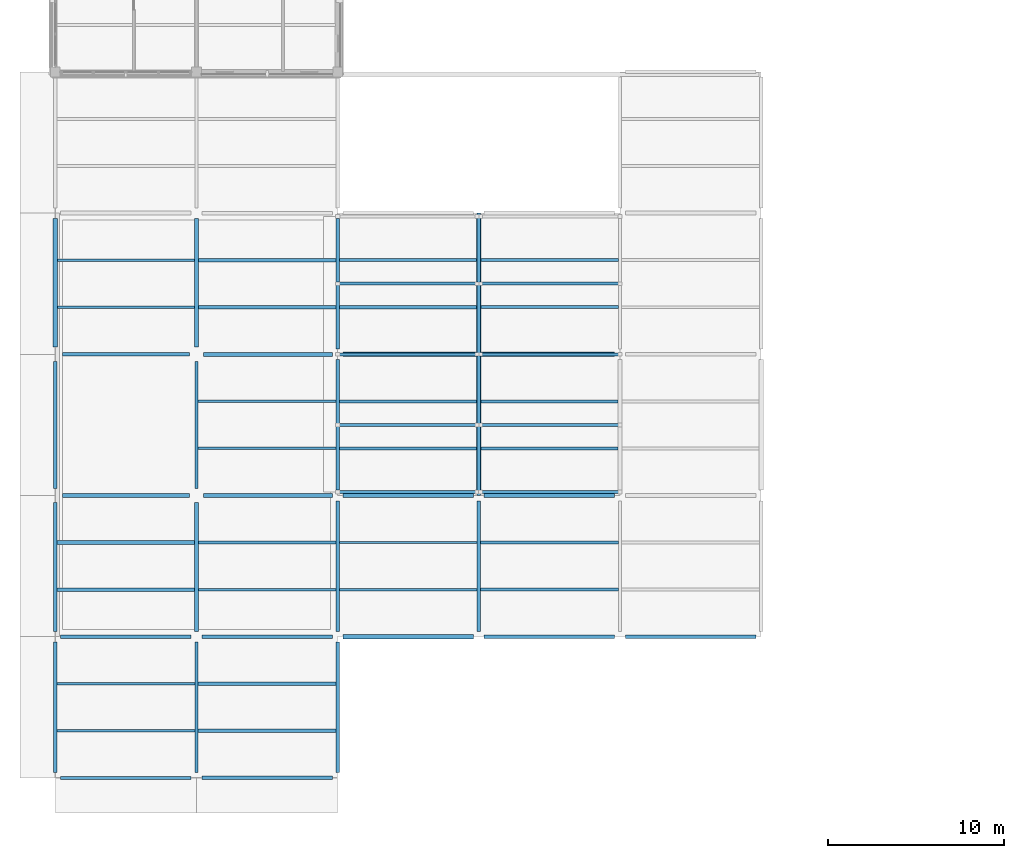
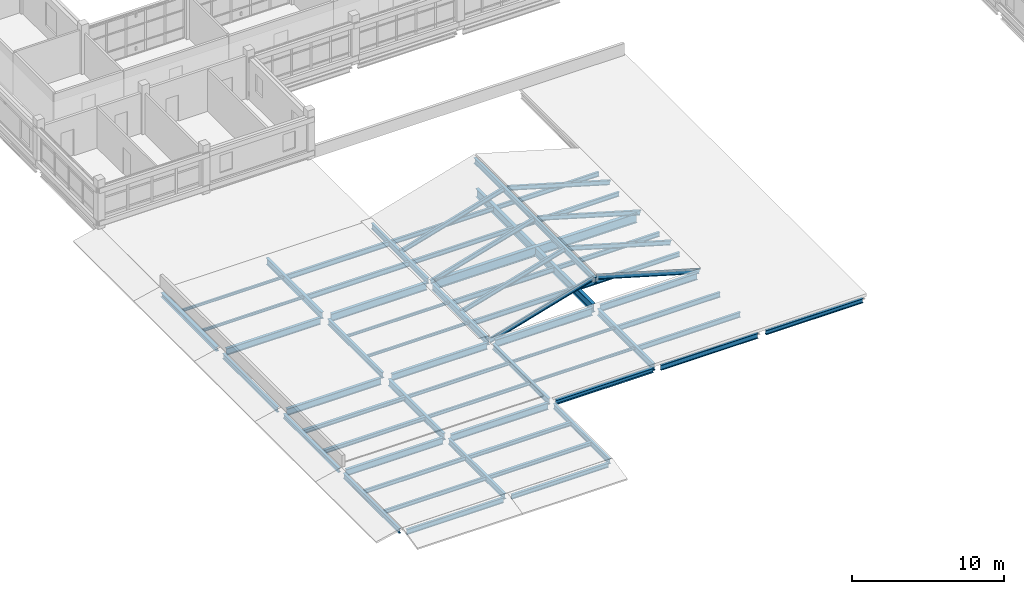
# One storey, part 6 of 107: 55 beams, 8 members.
"""IFC4 building model written with IfcOpenShell, lengths in metres."""

from ifc_helpers import new_model, si_unit, derived_unit, direction, frame, origin, origin_2d, place, context, subcontext, project, spatial, i_section, extrude, material, material_profile, profile_set, type_object, element, save


model = new_model("IFC4")

# Units and contexts
model_context = context("Model", 3, precision=1e-05, world=origin(), true_north=direction((0.0, 1.0)))
body_context = subcontext(model_context, "Body", "Model", "MODEL_VIEW")
ifc_project = project(units=[si_unit("LENGTHUNIT", "METRE"), si_unit("AREAUNIT", "SQUARE_METRE"), si_unit("VOLUMEUNIT", "CUBIC_METRE"), si_unit("PLANEANGLEUNIT", "RADIAN"), si_unit("MASSUNIT", "GRAM", prefix="KILO"), derived_unit("THERMALTRANSMITTANCEUNIT", [(si_unit("MASSUNIT", "GRAM", prefix="KILO"), 1), (si_unit("TIMEUNIT", "SECOND"), -3), (si_unit("THERMODYNAMICTEMPERATUREUNIT", "KELVIN"), -1)])], contexts=[model_context])

# Site, building, storey
site_placement = place(None, origin())
site = spatial("IfcSite", under=ifc_project, at=site_placement, CompositionType="ELEMENT")
building_placement = place(site_placement, origin())
building = spatial("IfcBuilding", under=site, at=building_placement, Name="Veyamyaing Civic Hall", CompositionType="ELEMENT")
storey_placement = place(building_placement, frame((0.0, 0.0, 13.860107421875)))
storey = spatial("IfcBuildingStorey", under=building, at=storey_placement, Name="L03", CompositionType="ELEMENT", Elevation=13.860107421875)

# Beams
ifc_material = material(Name="Steel ASTM A992", Category="steel")
ifc_material_profile_1 = material_profile(ifc_material, i_section(OverallWidth=0.22802734375, OverallDepth=0.60791015625, WebThickness=0.01123046875, FlangeThickness=0.017333984375, FilletRadius=0.012939453125, at=origin_2d()), Name="W610X113")
ifc_profile_set_1 = profile_set([ifc_material_profile_1], Name="Steel ASTM A992")
beam_type_1 = type_object("IfcBeamType", Name="B-06", PredefinedType="BEAM", material=ifc_profile_set_1)
beam_1_placement = place(storey_placement, frame((16.300048828125, 16.0, -0.544189453125), z_axis=(1.0, 0.0, 0.0), x_axis=(0.0, 1.0, 0.0)))
element("IfcBeam", 1, at=beam_1_placement, inside=storey, type_object=beam_type_1, Name="Girder B-06 L03 Grid C 3-4", PredefinedType="BEAM", context=body_context, shape_type="SweptSolid", body=[
    extrude(i_section(OverallWidth=0.22802734375, OverallDepth=0.60791015625, WebThickness=0.01123046875, FlangeThickness=0.017333984375, FilletRadius=0.012939453125, at=origin_2d()), origin(), (0.0, 0.0, 1.0), 7.39990234375),
])
beam_2_placement = place(storey_placement, frame((8.39990234375, 24.0, -0.544189453125), z_axis=(1.0, 0.0, 0.0), x_axis=(0.0, 1.0, 0.0)))
element("IfcBeam", 2, at=beam_2_placement, inside=storey, type_object=beam_type_1, Name="Girder B-06 L03 Grid D 2-3", PredefinedType="BEAM", context=body_context, shape_type="SweptSolid", body=[
    extrude(i_section(OverallWidth=0.22802734375, OverallDepth=0.60791015625, WebThickness=0.01123046875, FlangeThickness=0.017333984375, FilletRadius=0.012939453125, at=origin_2d()), origin(), (0.0, 0.0, 1.0), 7.300048828125),
])
ifc_material_profile_2 = material_profile(ifc_material, i_section(OverallWidth=0.208984375, OverallDepth=0.532958984375, WebThickness=0.01025390625, FlangeThickness=0.015625, FilletRadius=0.011962890625, at=origin_2d()), Name="W530X92")
ifc_profile_set_2 = profile_set([ifc_material_profile_2], Name="Steel ASTM A992")
beam_type_2 = type_object("IfcBeamType", Name="B-07", PredefinedType="BEAM", material=ifc_profile_set_2)
for number, where, z_axis, x_axis, name in (
    (3, (0.300048828125, 8.0, -0.506591796875), (1.0, 0.0, 0.0), (0.0, 1.0, 0.0), "Girder B-07 L03 Grid B 1-2"),
    (4, (24.300048828125, 16.0, -0.506591796875), (1.0, 0.0, 0.0), (0.0, 1.0, 0.0), "Girder B-07 L03 Grid C 4-5"),
):
    element("IfcBeam", number, at=place(storey_placement, frame(where, z_axis=z_axis, x_axis=x_axis)), inside=storey, type_object=beam_type_2, Name=name, PredefinedType="BEAM", context=body_context, shape_type="SweptSolid", body=[
        extrude(i_section(OverallWidth=0.208984375, OverallDepth=0.532958984375, WebThickness=0.01025390625, FlangeThickness=0.015625, FilletRadius=0.011962890625, at=origin_2d()), origin(), (0.0, 0.0, 1.0), 7.39990234375),
    ])
beam_3_placement = place(storey_placement, frame((8.0, 24.39990234375, -0.506591796875), z_axis=(0.0, 1.0, 0.0), x_axis=(-1.0, 0.0, 0.0)))
element("IfcBeam", 5, at=beam_3_placement, inside=storey, type_object=beam_type_2, Name="Girder B-07 L03 Grid 2 D-E", PredefinedType="BEAM", context=body_context, shape_type="SweptSolid", body=[
    extrude(i_section(OverallWidth=0.208984375, OverallDepth=0.532958984375, WebThickness=0.01025390625, FlangeThickness=0.015625, FilletRadius=0.011962890625, at=origin_2d()), origin(), (0.0, 0.0, 1.0), 7.300048828125),
])
for number, where, z_axis, x_axis, name in (
    (6, (16.0, 16.300048828125, -0.506591796875), (0.0, 1.0, 0.0), (-1.0, 0.0, 0.0), "Girder B-07 L03 Grid 3 C-D"),
    (7, (24.0, 8.300048828125, -0.506591796875), (0.0, 1.0, 0.0), (-1.0, 0.0, 0.0), "Girder B-07 L03 Grid 4 B-C"),
):
    element("IfcBeam", number, at=place(storey_placement, frame(where, z_axis=z_axis, x_axis=x_axis)), inside=storey, type_object=beam_type_2, Name=name, PredefinedType="BEAM", context=body_context, shape_type="SweptSolid", body=[
        extrude(i_section(OverallWidth=0.208984375, OverallDepth=0.532958984375, WebThickness=0.01025390625, FlangeThickness=0.015625, FilletRadius=0.011962890625, at=origin_2d()), origin(), (0.0, 0.0, 1.0), 7.39990234375),
    ])
ifc_material_profile_3 = material_profile(ifc_material, i_section(OverallWidth=0.19189453125, OverallDepth=0.462890625, WebThickness=0.010498046875, FlangeThickness=0.017578125, FilletRadius=0.010009765625, at=origin_2d()), Name="W460X89")
ifc_profile_set_3 = profile_set([ifc_material_profile_3], Name="Steel ASTM A992")
beam_type_3 = type_object("IfcBeamType", Name="B-08", PredefinedType="BEAM", material=ifc_profile_set_3)
for number, where, z_axis, x_axis, name in (
    (8, (8.0, 0.300048828125, -0.4716796875), (0.0, 1.0, 0.0), (-1.0, 0.0, 0.0), "Girder B-08 L03 Grid 2 A-B"),
    (9, (16.0, 24.300048828125, -0.4716796875), (0.0, 1.0, 0.0), (-1.0, 0.0, 0.0), "Girder B-08 L03 Grid 3 D-E"),
):
    element("IfcBeam", number, at=place(storey_placement, frame(where, z_axis=z_axis, x_axis=x_axis)), inside=storey, type_object=beam_type_3, Name=name, PredefinedType="BEAM", context=body_context, shape_type="SweptSolid", body=[
        extrude(i_section(OverallWidth=0.19189453125, OverallDepth=0.462890625, WebThickness=0.010498046875, FlangeThickness=0.017578125, FilletRadius=0.010009765625, at=origin_2d()), origin(), (0.0, 0.0, 1.0), 7.39990234375),
    ])
ifc_material_profile_4 = material_profile(ifc_material, i_section(OverallWidth=0.18994140625, OverallDepth=0.45703125, WebThickness=0.009033203125, FlangeThickness=0.014404296875, FilletRadius=0.010009765625, at=origin_2d()), Name="W460X74")
ifc_profile_set_4 = profile_set([ifc_material_profile_4], Name="Steel ASTM A992")
beam_type_4 = type_object("IfcBeamType", Name="B-09", PredefinedType="BEAM", material=ifc_profile_set_4)
beam_4_placement = place(storey_placement, frame((24.0, 16.0, 1.81982421875), z_axis=(0.0, 1.0, 0.0), x_axis=(-1.0, 0.0, 0.0)))
element("IfcBeam", 10, at=beam_4_placement, inside=storey, type_object=beam_type_4, Name="Public Hall Lantern Ridge Beam B-09", PredefinedType="BEAM", context=body_context, shape_type="SweptSolid", body=[
    extrude(i_section(OverallWidth=0.18994140625, OverallDepth=0.45703125, WebThickness=0.009033203125, FlangeThickness=0.014404296875, FilletRadius=0.010009765625, at=origin_2d()), origin(), (0.0, 0.0, 1.0), 16.0),
])
ifc_material_profile_5 = material_profile(ifc_material, i_section(OverallWidth=0.179931640625, OverallDepth=0.4130859375, WebThickness=0.009765625, FlangeThickness=0.01611328125, FilletRadius=0.010009765625, at=origin_2d()), Name="W410X74")
ifc_profile_set_5 = profile_set([ifc_material_profile_5], Name="Steel ASTM A992")
beam_type_5 = type_object("IfcBeamType", Name="B-10", PredefinedType="SPANDREL", material=ifc_profile_set_5)
for number, where, z_axis, x_axis, name in (
    (11, (0.300048828125, 0.0, -0.446533203125), (1.0, 0.0, 0.0), (0.0, 1.0, 0.0), "Girder B-10 L03 Grid A 1-2"),
    (12, (24.300048828125, 8.0, -0.446533203125), (1.0, 0.0, 0.0), (0.0, 1.0, 0.0), "Girder B-10 L03 Grid B 4-5"),
    (13, (0.0, 0.300048828125, -0.446533203125), (0.0, 1.0, 0.0), (-1.0, 0.0, 0.0), "Girder B-10 L03 Grid 1 A-B"),
):
    element("IfcBeam", number, at=place(storey_placement, frame(where, z_axis=z_axis, x_axis=x_axis)), inside=storey, type_object=beam_type_5, Name=name, PredefinedType="SPANDREL", context=body_context, shape_type="SweptSolid", body=[
        extrude(i_section(OverallWidth=0.179931640625, OverallDepth=0.4130859375, WebThickness=0.009765625, FlangeThickness=0.01611328125, FilletRadius=0.010009765625, at=origin_2d()), origin(), (0.0, 0.0, 1.0), 7.39990234375),
    ])
ifc_material_profile_6 = material_profile(ifc_material, i_section(OverallWidth=0.2041015625, OverallDepth=0.35009765625, WebThickness=0.0078125, FlangeThickness=0.01513671875, FilletRadius=0.010009765625, at=origin_2d()), Name="W360X72")
ifc_profile_set_6 = profile_set([ifc_material_profile_6], Name="Steel ASTM A992")
beam_type_6 = type_object("IfcBeamType", Name="B-11", PredefinedType="SPANDREL", material=ifc_profile_set_6)
for number, where, z_axis, x_axis, name in (
    (14, (8.300048828125, 0.0, -0.4150390625), (1.0, 0.0, 0.0), (0.0, 1.0, 0.0), "Girder B-11 L03 Grid A 2-3"),
    (15, (32.300048828125, 8.0, -0.4150390625), (1.0, 0.0, 0.0), (0.0, 1.0, 0.0), "Girder B-11 L03 Grid B 5-6"),
):
    element("IfcBeam", number, at=place(storey_placement, frame(where, z_axis=z_axis, x_axis=x_axis)), inside=storey, type_object=beam_type_6, Name=name, PredefinedType="SPANDREL", context=body_context, shape_type="SweptSolid", body=[
        extrude(i_section(OverallWidth=0.2041015625, OverallDepth=0.35009765625, WebThickness=0.0078125, FlangeThickness=0.01513671875, FilletRadius=0.010009765625, at=origin_2d()), origin(), (0.0, 0.0, 1.0), 7.39990234375),
    ])
beam_5_placement = place(storey_placement, frame((0.0, 8.300048828125, -0.4150390625), z_axis=(0.0, 1.0, 0.0), x_axis=(-1.0, 0.0, 0.0)))
element("IfcBeam", 16, at=beam_5_placement, inside=storey, type_object=beam_type_6, Name="Girder B-11 L03 Grid 1 B-C", PredefinedType="SPANDREL", context=body_context, shape_type="SweptSolid", body=[
    extrude(i_section(OverallWidth=0.2041015625, OverallDepth=0.35009765625, WebThickness=0.0078125, FlangeThickness=0.01513671875, FilletRadius=0.010009765625, at=origin_2d()), origin(), (0.0, 0.0, 1.0), 7.300048828125),
])
ifc_material_profile_7 = material_profile(ifc_material, i_section(OverallWidth=0.26611328125, OverallDepth=0.758056640625, WebThickness=0.013916015625, FlangeThickness=0.019287109375, FilletRadius=0.01611328125, at=origin_2d()), Name="W760X161")
ifc_profile_set_7 = profile_set([ifc_material_profile_7], Name="Steel ASTM A992")
beam_type_7 = type_object("IfcBeamType", Name="B-13", PredefinedType="BEAM", material=ifc_profile_set_7)
beam_6_placement = place(storey_placement, frame((16.300048828125, 24.0, -0.634033203125), z_axis=(1.0, 0.0, 0.0), x_axis=(0.0, 1.0, 0.0)))
element("IfcBeam", 17, at=beam_6_placement, inside=storey, type_object=beam_type_7, Name="Girder B-13 L03 Grid D 3-5", PredefinedType="BEAM", context=body_context, shape_type="SweptSolid", body=[
    extrude(i_section(OverallWidth=0.26611328125, OverallDepth=0.758056640625, WebThickness=0.013916015625, FlangeThickness=0.019287109375, FilletRadius=0.01611328125, at=origin_2d()), origin(), (0.0, 0.0, 1.0), 15.39990234375),
])
ifc_material_profile_8 = material_profile(ifc_material, i_section(OverallWidth=0.25390625, OverallDepth=0.68408203125, WebThickness=0.012451171875, FlangeThickness=0.01904296875, FilletRadius=0.013916015625, at=origin_2d()), Name="W690X140")
ifc_profile_set_8 = profile_set([ifc_material_profile_8], Name="Steel ASTM A992")
beam_type_8 = type_object("IfcBeamType", Name="B-14", PredefinedType="BEAM", material=ifc_profile_set_8)
beam_7_placement = place(storey_placement, frame((24.0, 16.300048828125, -0.59716796875), z_axis=(0.0, 1.0, 0.0), x_axis=(-1.0, 0.0, 0.0)))
element("IfcBeam", 18, at=beam_7_placement, inside=storey, type_object=beam_type_8, Name="Girder B-14 L03 Grid 4 C-E", PredefinedType="BEAM", context=body_context, shape_type="SweptSolid", body=[
    extrude(i_section(OverallWidth=0.25390625, OverallDepth=0.68408203125, WebThickness=0.012451171875, FlangeThickness=0.01904296875, FilletRadius=0.013916015625, at=origin_2d()), origin(), (0.0, 0.0, 1.0), 15.39990234375),
])
ifc_material_profile_9 = material_profile(ifc_material, i_section(OverallWidth=0.214111328125, OverallDepth=0.549072265625, WebThickness=0.0146484375, FlangeThickness=0.023681640625, FilletRadius=0.011962890625, at=origin_2d()), Name="W530X138")
ifc_profile_set_9 = profile_set([ifc_material_profile_9], Name="Steel ASTM A992")
beam_type_9 = type_object("IfcBeamType", Name="B-16", PredefinedType="BEAM", material=ifc_profile_set_9)
beam_8_placement = place(storey_placement, frame((8.300048828125, 8.0, -0.5146484375), z_axis=(1.0, 0.0, 0.0), x_axis=(0.0, 1.0, 0.0)))
element("IfcBeam", 19, at=beam_8_placement, inside=storey, type_object=beam_type_9, Name="Girder B-16 L03 Grid B 2-3", PredefinedType="BEAM", context=body_context, shape_type="SweptSolid", body=[
    extrude(i_section(OverallWidth=0.214111328125, OverallDepth=0.549072265625, WebThickness=0.0146484375, FlangeThickness=0.023681640625, FilletRadius=0.011962890625, at=origin_2d()), origin(), (0.0, 0.0, 1.0), 7.39990234375),
])
beam_9_placement = place(storey_placement, frame((0.39990234375, 16.0, -0.5146484375), z_axis=(1.0, 0.0, 0.0), x_axis=(0.0, 1.0, 0.0)))
element("IfcBeam", 20, at=beam_9_placement, inside=storey, type_object=beam_type_9, Name="Girder B-16 L03 Grid C 1-2", PredefinedType="BEAM", context=body_context, shape_type="SweptSolid", body=[
    extrude(i_section(OverallWidth=0.214111328125, OverallDepth=0.549072265625, WebThickness=0.0146484375, FlangeThickness=0.023681640625, FilletRadius=0.011962890625, at=origin_2d()), origin(), (0.0, 0.0, 1.0), 7.2001953125),
])
ifc_material_profile_10 = material_profile(ifc_material, i_section(OverallWidth=0.2109375, OverallDepth=0.5390625, WebThickness=0.01171875, FlangeThickness=0.018798828125, FilletRadius=0.011962890625, at=origin_2d()), Name="W530X109")
ifc_profile_set_10 = profile_set([ifc_material_profile_10], Name="Steel ASTM A992")
beam_type_10 = type_object("IfcBeamType", Name="B-17", PredefinedType="BEAM", material=ifc_profile_set_10)
beam_10_placement = place(storey_placement, frame((8.39990234375, 16.0, -0.509521484375), z_axis=(1.0, 0.0, 0.0), x_axis=(0.0, 1.0, 0.0)))
element("IfcBeam", 21, at=beam_10_placement, inside=storey, type_object=beam_type_10, Name="Girder B-17 L03 Grid C 2-3", PredefinedType="BEAM", context=body_context, shape_type="SweptSolid", body=[
    extrude(i_section(OverallWidth=0.2109375, OverallDepth=0.5390625, WebThickness=0.01171875, FlangeThickness=0.018798828125, FilletRadius=0.011962890625, at=origin_2d()), origin(), (0.0, 0.0, 1.0), 7.300048828125),
])
beam_11_placement = place(storey_placement, frame((0.39990234375, 24.0, -0.509521484375), z_axis=(1.0, 0.0, 0.0), x_axis=(0.0, 1.0, 0.0)))
element("IfcBeam", 22, at=beam_11_placement, inside=storey, type_object=beam_type_10, Name="Girder B-17 L03 Grid D 1-2", PredefinedType="BEAM", context=body_context, shape_type="SweptSolid", body=[
    extrude(i_section(OverallWidth=0.2109375, OverallDepth=0.5390625, WebThickness=0.01171875, FlangeThickness=0.018798828125, FilletRadius=0.011962890625, at=origin_2d()), origin(), (0.0, 0.0, 1.0), 7.2001953125),
])
beam_12_placement = place(storey_placement, frame((8.0, 8.300048828125, -0.509521484375), z_axis=(0.0, 1.0, 0.0), x_axis=(-1.0, 0.0, 0.0)))
element("IfcBeam", 23, at=beam_12_placement, inside=storey, type_object=beam_type_10, Name="Girder B-17 L03 Grid 2 B-C", PredefinedType="BEAM", context=body_context, shape_type="SweptSolid", body=[
    extrude(i_section(OverallWidth=0.2109375, OverallDepth=0.5390625, WebThickness=0.01171875, FlangeThickness=0.018798828125, FilletRadius=0.011962890625, at=origin_2d()), origin(), (0.0, 0.0, 1.0), 7.300048828125),
])
ifc_material_profile_11 = material_profile(ifc_material, i_section(OverallWidth=0.194091796875, OverallDepth=0.468994140625, WebThickness=0.0126953125, FlangeThickness=0.0205078125, FilletRadius=0.010009765625, at=origin_2d()), Name="W460X106")
ifc_profile_set_11 = profile_set([ifc_material_profile_11], Name="Steel ASTM A992")
beam_type_11 = type_object("IfcBeamType", Name="B-18", PredefinedType="BEAM", material=ifc_profile_set_11)
beam_13_placement = place(storey_placement, frame((8.0, 16.39990234375, -0.474609375), z_axis=(0.0, 1.0, 0.0), x_axis=(-1.0, 0.0, 0.0)))
element("IfcBeam", 24, at=beam_13_placement, inside=storey, type_object=beam_type_11, Name="Girder B-18 L03 Grid 2 C-D", PredefinedType="BEAM", context=body_context, shape_type="SweptSolid", body=[
    extrude(i_section(OverallWidth=0.194091796875, OverallDepth=0.468994140625, WebThickness=0.0126953125, FlangeThickness=0.0205078125, FilletRadius=0.010009765625, at=origin_2d()), origin(), (0.0, 0.0, 1.0), 7.2001953125),
])
beam_14_placement = place(storey_placement, frame((16.0, 8.300048828125, -0.474609375), z_axis=(0.0, 1.0, 0.0), x_axis=(-1.0, 0.0, 0.0)))
element("IfcBeam", 25, at=beam_14_placement, inside=storey, type_object=beam_type_11, Name="Girder B-18 L03 Grid 3 B-C", PredefinedType="BEAM", context=body_context, shape_type="SweptSolid", body=[
    extrude(i_section(OverallWidth=0.194091796875, OverallDepth=0.468994140625, WebThickness=0.0126953125, FlangeThickness=0.0205078125, FilletRadius=0.010009765625, at=origin_2d()), origin(), (0.0, 0.0, 1.0), 7.39990234375),
])
ifc_material_profile_12 = material_profile(ifc_material, i_section(OverallWidth=0.180908203125, OverallDepth=0.4169921875, WebThickness=0.010986328125, FlangeThickness=0.018310546875, FilletRadius=0.010009765625, at=origin_2d()), Name="W410X85")
ifc_profile_set_12 = profile_set([ifc_material_profile_12], Name="Steel ASTM A992")
beam_type_12 = type_object("IfcBeamType", Name="B-19", PredefinedType="SPANDREL", material=ifc_profile_set_12)
beam_15_placement = place(storey_placement, frame((0.0, 16.39990234375, -0.448486328125), z_axis=(0.0, 1.0, 0.0), x_axis=(-1.0, 0.0, 0.0)))
element("IfcBeam", 26, at=beam_15_placement, inside=storey, type_object=beam_type_12, Name="Girder B-19 L03 Grid 1 C-D", PredefinedType="SPANDREL", context=body_context, shape_type="SweptSolid", body=[
    extrude(i_section(OverallWidth=0.180908203125, OverallDepth=0.4169921875, WebThickness=0.010986328125, FlangeThickness=0.018310546875, FilletRadius=0.010009765625, at=origin_2d()), origin(), (0.0, 0.0, 1.0), 7.2001953125),
])
beam_16_placement = place(storey_placement, frame((16.0, 0.300048828125, -0.448486328125), z_axis=(0.0, 1.0, 0.0), x_axis=(-1.0, 0.0, 0.0)))
element("IfcBeam", 27, at=beam_16_placement, inside=storey, type_object=beam_type_12, Name="Girder B-19 L03 Grid 3 A-B", PredefinedType="SPANDREL", context=body_context, shape_type="SweptSolid", body=[
    extrude(i_section(OverallWidth=0.180908203125, OverallDepth=0.4169921875, WebThickness=0.010986328125, FlangeThickness=0.018310546875, FilletRadius=0.010009765625, at=origin_2d()), origin(), (0.0, 0.0, 1.0), 7.39990234375),
])
ifc_material_profile_13 = material_profile(ifc_material, i_section(OverallWidth=0.25390625, OverallDepth=0.35302734375, WebThickness=0.009521484375, FlangeThickness=0.016357421875, FilletRadius=0.011962890625, at=origin_2d()), Name="W360X91")
ifc_profile_set_13 = profile_set([ifc_material_profile_13], Name="Steel ASTM A992")
beam_type_13 = type_object("IfcBeamType", Name="B-20", PredefinedType="SPANDREL", material=ifc_profile_set_13)
beam_17_placement = place(storey_placement, frame((16.300048828125, 8.0, -0.41650390625), z_axis=(1.0, 0.0, 0.0), x_axis=(0.0, 1.0, 0.0)))
element("IfcBeam", 28, at=beam_17_placement, inside=storey, type_object=beam_type_13, Name="Girder B-20 L03 Grid B 3-4", PredefinedType="SPANDREL", context=body_context, shape_type="SweptSolid", body=[
    extrude(i_section(OverallWidth=0.25390625, OverallDepth=0.35302734375, WebThickness=0.009521484375, FlangeThickness=0.016357421875, FilletRadius=0.011962890625, at=origin_2d()), origin(), (0.0, 0.0, 1.0), 7.39990234375),
])
beam_18_placement = place(storey_placement, frame((0.0, 24.39990234375, -0.41650390625), z_axis=(0.0, 1.0, 0.0), x_axis=(-1.0, 0.0, 0.0)))
element("IfcBeam", 29, at=beam_18_placement, inside=storey, type_object=beam_type_13, Name="Girder B-20 L03 Grid 1 D-E", PredefinedType="SPANDREL", context=body_context, shape_type="SweptSolid", body=[
    extrude(i_section(OverallWidth=0.25390625, OverallDepth=0.35302734375, WebThickness=0.009521484375, FlangeThickness=0.016357421875, FilletRadius=0.011962890625, at=origin_2d()), origin(), (0.0, 0.0, 1.0), 7.300048828125),
])
ifc_material_profile_14 = material_profile(ifc_material, i_section(OverallWidth=0.177978515625, OverallDepth=0.406982421875, WebThickness=0.0078125, FlangeThickness=0.0126953125, FilletRadius=0.010009765625, at=origin_2d()), Name="W410X60")
ifc_profile_set_14 = profile_set([ifc_material_profile_14], Name="Steel ASTM A992")
beam_type_14 = type_object("IfcBeamType", Name="J-01", PredefinedType="JOIST", material=ifc_profile_set_14)
for number, where, z_axis, x_axis, name in (
    (30, (8.1025390625, 26.666748046875, -0.443603515625), (1.0, 0.0, 0.0), (0.0, 1.0, 0.0), "Composite floor joist J-01 L03 2.4.1"),
    (31, (8.1025390625, 29.333251953125, -0.443603515625), (1.0, 0.0, 0.0), (0.0, 1.0, 0.0), "Composite floor joist J-01 L03 2.4.2"),
):
    element("IfcBeam", number, at=place(storey_placement, frame(where, z_axis=z_axis, x_axis=x_axis)), inside=storey, type_object=beam_type_14, Name=name, PredefinedType="JOIST", context=body_context, shape_type="SweptSolid", body=[
        extrude(i_section(OverallWidth=0.177978515625, OverallDepth=0.406982421875, WebThickness=0.0078125, FlangeThickness=0.0126953125, FilletRadius=0.010009765625, at=origin_2d()), origin(), (0.0, 0.0, 1.0), 7.803466796875),
    ])
for number, where, z_axis, x_axis, name in (
    (32, (16.1025390625, 18.666748046875, -0.45849609375), (1.0, 0.0, 0.0), (0.0, 1.0, 0.0), "Composite floor joist J-01 L03 3.3.1"),
    (33, (16.1025390625, 21.333251953125, -0.45849609375), (1.0, 0.0, 0.0), (0.0, 1.0, 0.0), "Composite floor joist J-01 L03 3.3.2"),
):
    element("IfcBeam", number, at=place(storey_placement, frame(where, z_axis=z_axis, x_axis=x_axis)), inside=storey, type_object=beam_type_14, Name=name, PredefinedType="JOIST", context=body_context, shape_type="SweptSolid", body=[
        extrude(i_section(OverallWidth=0.177978515625, OverallDepth=0.406982421875, WebThickness=0.0078125, FlangeThickness=0.0126953125, FilletRadius=0.010009765625, at=origin_2d()), origin(), (0.0, 0.0, 1.0), 7.7724609375),
    ])
for number, where, z_axis, x_axis, name in (
    (34, (24.1025390625, 10.666748046875, -0.443603515625), (1.0, 0.0, 0.0), (0.0, 1.0, 0.0), "Composite floor joist J-01 L03 4.2.1"),
    (35, (24.1025390625, 13.333251953125, -0.443603515625), (1.0, 0.0, 0.0), (0.0, 1.0, 0.0), "Composite floor joist J-01 L03 4.2.2"),
):
    element("IfcBeam", number, at=place(storey_placement, frame(where, z_axis=z_axis, x_axis=x_axis)), inside=storey, type_object=beam_type_14, Name=name, PredefinedType="JOIST", context=body_context, shape_type="SweptSolid", body=[
        extrude(i_section(OverallWidth=0.177978515625, OverallDepth=0.406982421875, WebThickness=0.0078125, FlangeThickness=0.0126953125, FilletRadius=0.010009765625, at=origin_2d()), origin(), (0.0, 0.0, 1.0), 7.803466796875),
    ])
ifc_material_profile_15 = material_profile(ifc_material, i_section(OverallWidth=0.172119140625, OverallDepth=0.35791015625, WebThickness=0.0078125, FlangeThickness=0.01318359375, FilletRadius=0.010009765625, at=origin_2d()), Name="W360X57")
ifc_profile_set_15 = profile_set([ifc_material_profile_15], Name="Steel ASTM A992")
beam_type_15 = type_object("IfcBeamType", Name="J-02", PredefinedType="JOIST", material=ifc_profile_set_15)
for number, where, z_axis, x_axis, name in (
    (36, (16.093994140625, 26.666748046875, -0.43408203125), (1.0, 0.0, 0.0), (0.0, 1.0, 0.0), "Composite floor joist J-02 L03 3.4.1"),
    (37, (16.093994140625, 29.333251953125, -0.43408203125), (1.0, 0.0, 0.0), (0.0, 1.0, 0.0), "Composite floor joist J-02 L03 3.4.2"),
):
    element("IfcBeam", number, at=place(storey_placement, frame(where, z_axis=z_axis, x_axis=x_axis)), inside=storey, type_object=beam_type_15, Name=name, PredefinedType="JOIST", context=body_context, shape_type="SweptSolid", body=[
        extrude(i_section(OverallWidth=0.172119140625, OverallDepth=0.35791015625, WebThickness=0.0078125, FlangeThickness=0.01318359375, FilletRadius=0.010009765625, at=origin_2d()), origin(), (0.0, 0.0, 1.0), 7.781005859375),
    ])
for number, where, z_axis, x_axis, name in (
    (38, (24.125, 18.666748046875, -0.43408203125), (1.0, 0.0, 0.0), (0.0, 1.0, 0.0), "Composite floor joist J-02 L03 4.3.1"),
    (39, (24.125, 21.333251953125, -0.43408203125), (1.0, 0.0, 0.0), (0.0, 1.0, 0.0), "Composite floor joist J-02 L03 4.3.2"),
):
    element("IfcBeam", number, at=place(storey_placement, frame(where, z_axis=z_axis, x_axis=x_axis)), inside=storey, type_object=beam_type_15, Name=name, PredefinedType="JOIST", context=body_context, shape_type="SweptSolid", body=[
        extrude(i_section(OverallWidth=0.172119140625, OverallDepth=0.35791015625, WebThickness=0.0078125, FlangeThickness=0.01318359375, FilletRadius=0.010009765625, at=origin_2d()), origin(), (0.0, 0.0, 1.0), 7.771484375),
    ])
ifc_material_profile_16 = material_profile(ifc_material, i_section(OverallWidth=0.1708984375, OverallDepth=0.35205078125, WebThickness=0.0068359375, FlangeThickness=0.009765625, FilletRadius=0.010009765625, at=origin_2d()), Name="W360X44")
ifc_profile_set_16 = profile_set([ifc_material_profile_16], Name="Steel ASTM A992")
beam_type_16 = type_object("IfcBeamType", Name="J-03", PredefinedType="JOIST", material=ifc_profile_set_16)
for number, where, z_axis, x_axis, name in (
    (40, (24.125, 26.666748046875, -0.43115234375), (1.0, 0.0, 0.0), (0.0, 1.0, 0.0), "Composite floor joist J-03 L03 4.4.1"),
    (41, (24.125, 29.333251953125, -0.43115234375), (1.0, 0.0, 0.0), (0.0, 1.0, 0.0), "Composite floor joist J-03 L03 4.4.2"),
):
    element("IfcBeam", number, at=place(storey_placement, frame(where, z_axis=z_axis, x_axis=x_axis)), inside=storey, type_object=beam_type_16, Name=name, PredefinedType="JOIST", context=body_context, shape_type="SweptSolid", body=[
        extrude(i_section(OverallWidth=0.1708984375, OverallDepth=0.35205078125, WebThickness=0.0068359375, FlangeThickness=0.009765625, FilletRadius=0.010009765625, at=origin_2d()), origin(), (0.0, 0.0, 1.0), 7.780029296875),
    ])
ifc_material_profile_17 = material_profile(ifc_material, i_section(OverallWidth=0.1650390625, OverallDepth=0.31005859375, WebThickness=0.005859375, FlangeThickness=0.009765625, FilletRadius=0.010009765625, at=origin_2d()), Name="W310X39")
ifc_profile_set_17 = profile_set([ifc_material_profile_17], Name="Steel ASTM A992")
beam_type_17 = type_object("IfcBeamType", Name="J-05", PredefinedType="JOIST", material=ifc_profile_set_17)
for number, where, z_axis, x_axis, name in (
    (42, (0.087890625, 2.666748046875, -0.39501953125), (1.0, 0.0, 0.0), (0.0, 1.0, 0.0), "Composite floor joist J-05 L03 1.1.1"),
    (43, (0.087890625, 5.333251953125, -0.39501953125), (1.0, 0.0, 0.0), (0.0, 1.0, 0.0), "Composite floor joist J-05 L03 1.1.2"),
):
    element("IfcBeam", number, at=place(storey_placement, frame(where, z_axis=z_axis, x_axis=x_axis)), inside=storey, type_object=beam_type_17, Name=name, PredefinedType="JOIST", context=body_context, shape_type="SweptSolid", body=[
        extrude(i_section(OverallWidth=0.1650390625, OverallDepth=0.31005859375, WebThickness=0.005859375, FlangeThickness=0.009765625, FilletRadius=0.010009765625, at=origin_2d()), origin(), (0.0, 0.0, 1.0), 7.818115234375),
    ])
ifc_material_profile_18 = material_profile(ifc_material, i_section(OverallWidth=0.2041015625, OverallDepth=0.305908203125, WebThickness=0.008544921875, FlangeThickness=0.0146484375, FilletRadius=0.010009765625, at=origin_2d()), Name="W310X67")
ifc_profile_set_18 = profile_set([ifc_material_profile_18], Name="Steel ASTM A992")
beam_type_18 = type_object("IfcBeamType", Name="J-06", PredefinedType="JOIST", material=ifc_profile_set_18)
for number, where, z_axis, x_axis, name in (
    (44, (0.10009765625, 10.666748046875, -0.39306640625), (1.0, 0.0, 0.0), (0.0, 1.0, 0.0), "Composite floor joist J-06 L03 1.2.1"),
    (45, (0.10009765625, 13.333251953125, -0.39306640625), (1.0, 0.0, 0.0), (0.0, 1.0, 0.0), "Composite floor joist J-06 L03 1.2.2"),
):
    element("IfcBeam", number, at=place(storey_placement, frame(where, z_axis=z_axis, x_axis=x_axis)), inside=storey, type_object=beam_type_18, Name=name, PredefinedType="JOIST", context=body_context, shape_type="SweptSolid", body=[
        extrude(i_section(OverallWidth=0.2041015625, OverallDepth=0.305908203125, WebThickness=0.008544921875, FlangeThickness=0.0146484375, FilletRadius=0.010009765625, at=origin_2d()), origin(), (0.0, 0.0, 1.0), 7.79638671875),
    ])
for number, where, z_axis, x_axis, name in (
    (46, (8.093994140625, 2.666748046875, -0.39306640625), (1.0, 0.0, 0.0), (0.0, 1.0, 0.0), "Composite floor joist J-06 L03 2.1.1"),
    (47, (8.093994140625, 5.333251953125, -0.39306640625), (1.0, 0.0, 0.0), (0.0, 1.0, 0.0), "Composite floor joist J-06 L03 2.1.2"),
):
    element("IfcBeam", number, at=place(storey_placement, frame(where, z_axis=z_axis, x_axis=x_axis)), inside=storey, type_object=beam_type_18, Name=name, PredefinedType="JOIST", context=body_context, shape_type="SweptSolid", body=[
        extrude(i_section(OverallWidth=0.2041015625, OverallDepth=0.305908203125, WebThickness=0.008544921875, FlangeThickness=0.0146484375, FilletRadius=0.010009765625, at=origin_2d()), origin(), (0.0, 0.0, 1.0), 7.817626953125),
    ])
ifc_material_profile_19 = material_profile(ifc_material, i_section(OverallWidth=0.14794921875, OverallDepth=0.26611328125, WebThickness=0.007568359375, FlangeThickness=0.012939453125, FilletRadius=0.010009765625, at=origin_2d()), Name="W250X45")
ifc_profile_set_19 = profile_set([ifc_material_profile_19], Name="Steel ASTM A992")
beam_type_19 = type_object("IfcBeamType", Name="J-07", PredefinedType="JOIST", material=ifc_profile_set_19)
for number, where, z_axis, x_axis, name in (
    (48, (8.103515625, 10.666748046875, -0.373046875), (1.0, 0.0, 0.0), (0.0, 1.0, 0.0), "Composite floor joist J-07 L03 2.2.1"),
    (49, (8.103515625, 13.333251953125, -0.373046875), (1.0, 0.0, 0.0), (0.0, 1.0, 0.0), "Composite floor joist J-07 L03 2.2.2"),
):
    element("IfcBeam", number, at=place(storey_placement, frame(where, z_axis=z_axis, x_axis=x_axis)), inside=storey, type_object=beam_type_19, Name=name, PredefinedType="JOIST", context=body_context, shape_type="SweptSolid", body=[
        extrude(i_section(OverallWidth=0.14794921875, OverallDepth=0.26611328125, WebThickness=0.007568359375, FlangeThickness=0.012939453125, FilletRadius=0.010009765625, at=origin_2d()), origin(), (0.0, 0.0, 1.0), 7.801513671875),
    ])
ifc_material_profile_20 = material_profile(ifc_material, i_section(OverallWidth=0.133056640625, OverallDepth=0.20703125, WebThickness=0.005859375, FlangeThickness=0.00830078125, FilletRadius=0.010009765625, at=origin_2d()), Name="W200X27")
ifc_profile_set_20 = profile_set([ifc_material_profile_20], Name="Steel ASTM A992")
beam_type_20 = type_object("IfcBeamType", Name="J-08", PredefinedType="JOIST", material=ifc_profile_set_20)
for number, where, z_axis, x_axis, name in (
    (50, (0.125, 26.666748046875, -0.343505859375), (1.0, 0.0, 0.0), (0.0, 1.0, 0.0), "Composite floor joist J-08 L03 1.4.1"),
    (51, (0.125, 29.333251953125, -0.343505859375), (1.0, 0.0, 0.0), (0.0, 1.0, 0.0), "Composite floor joist J-08 L03 1.4.2"),
):
    element("IfcBeam", number, at=place(storey_placement, frame(where, z_axis=z_axis, x_axis=x_axis)), inside=storey, type_object=beam_type_20, Name=name, PredefinedType="JOIST", context=body_context, shape_type="SweptSolid", body=[
        extrude(i_section(OverallWidth=0.133056640625, OverallDepth=0.20703125, WebThickness=0.005859375, FlangeThickness=0.00830078125, FilletRadius=0.010009765625, at=origin_2d()), origin(), (0.0, 0.0, 1.0), 7.7724609375),
    ])
for number, where, z_axis, x_axis, name in (
    (52, (8.094970703125, 18.666748046875, -0.343505859375), (1.0, 0.0, 0.0), (0.0, 1.0, 0.0), "Composite floor joist J-08 L03 2.3.1"),
    (53, (8.094970703125, 21.333251953125, -0.343505859375), (1.0, 0.0, 0.0), (0.0, 1.0, 0.0), "Composite floor joist J-08 L03 2.3.2"),
    (54, (16.094970703125, 10.666748046875, -0.343505859375), (1.0, 0.0, 0.0), (0.0, 1.0, 0.0), "Composite floor joist J-08 L03 3.2.1"),
    (55, (16.094970703125, 13.333251953125, -0.343505859375), (1.0, 0.0, 0.0), (0.0, 1.0, 0.0), "Composite floor joist J-08 L03 3.2.2"),
):
    element("IfcBeam", number, at=place(storey_placement, frame(where, z_axis=z_axis, x_axis=x_axis)), inside=storey, type_object=beam_type_20, Name=name, PredefinedType="JOIST", context=body_context, shape_type="SweptSolid", body=[
        extrude(i_section(OverallWidth=0.133056640625, OverallDepth=0.20703125, WebThickness=0.005859375, FlangeThickness=0.00830078125, FilletRadius=0.010009765625, at=origin_2d()), origin(), (0.0, 0.0, 1.0), 7.802490234375),
    ])

# Members
ifc_material_profile_21 = material_profile(ifc_material, i_section(OverallWidth=0.1708984375, OverallDepth=0.35205078125, WebThickness=0.0068359375, FlangeThickness=0.009765625, FilletRadius=0.010009765625, at=origin_2d()), Name="W360X44")
ifc_profile_set_21 = profile_set([ifc_material_profile_21], Name="Steel ASTM A992")
member_type = type_object("IfcMemberType", Name="RF-01", PredefinedType="RAFTER", material=ifc_profile_set_21)
for number, where, z_axis, x_axis, name in (
    (56, (16.0, 16.199951171875, -0.35009765625), (0.960133486901, 0.0, 0.279541924102), (0.0, 1.0, 0.0), "Public Hall Lantern Rafter RF-01 W.1"),
    (57, (32.0, 16.199951171875, -0.35009765625), (-0.960133486901, 0.0, 0.279541924102), (0.0, -1.0, 0.0), "Public Hall Lantern Rafter RF-01 E.1"),
    (58, (16.0, 20.0, -0.35009765625), (0.960133486901, 0.0, 0.279541924102), (0.0, 1.0, 0.0), "Public Hall Lantern Rafter RF-01 W.2"),
    (59, (32.0, 20.0, -0.35009765625), (-0.960133486901, 0.0, 0.279541924102), (0.0, -1.0, 0.0), "Public Hall Lantern Rafter RF-01 E.2"),
    (60, (16.0, 24.0, -0.35009765625), (0.960133486901, 0.0, 0.279541924102), (0.0, 1.0, 0.0), "Public Hall Lantern Rafter RF-01 W.3"),
    (61, (32.0, 24.0, -0.35009765625), (-0.960133486901, 0.0, 0.279541924102), (0.0, -1.0, 0.0), "Public Hall Lantern Rafter RF-01 E.3"),
    (62, (16.0, 28.0, -0.35009765625), (0.960133486901, 0.0, 0.279541924102), (0.0, 1.0, 0.0), "Public Hall Lantern Rafter RF-01 W.4"),
    (63, (32.0, 28.0, -0.35009765625), (-0.960133486901, 0.0, 0.279541924102), (0.0, -1.0, 0.0), "Public Hall Lantern Rafter RF-01 E.4"),
):
    element("IfcMember", number, at=place(storey_placement, frame(where, z_axis=z_axis, x_axis=x_axis)), inside=storey, type_object=member_type, Name=name, PredefinedType="RAFTER", context=body_context, shape_type="SweptSolid", body=[
        extrude(i_section(OverallWidth=0.1708984375, OverallDepth=0.35205078125, WebThickness=0.0068359375, FlangeThickness=0.009765625, FilletRadius=0.010009765625, at=origin_2d()), origin(), (0.0, 0.0, 1.0), 8.22802734375),
    ])

save(model, "model.ifc")
